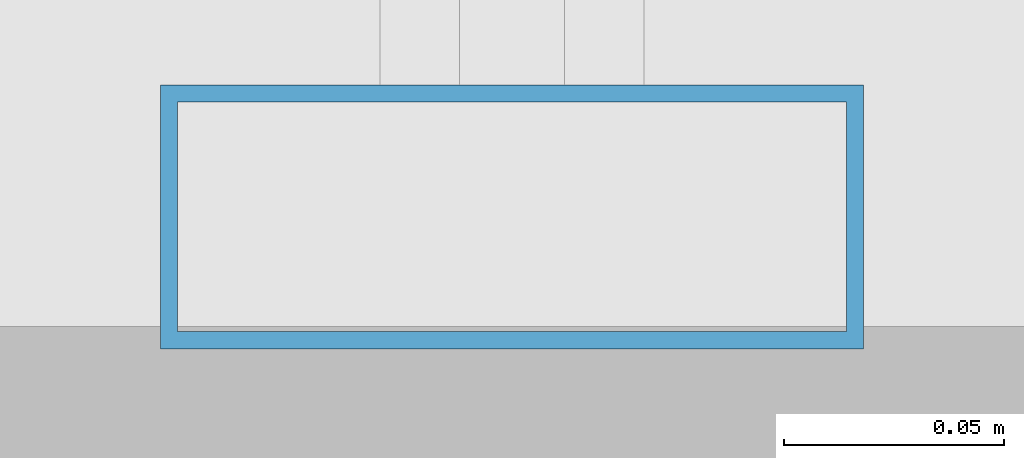
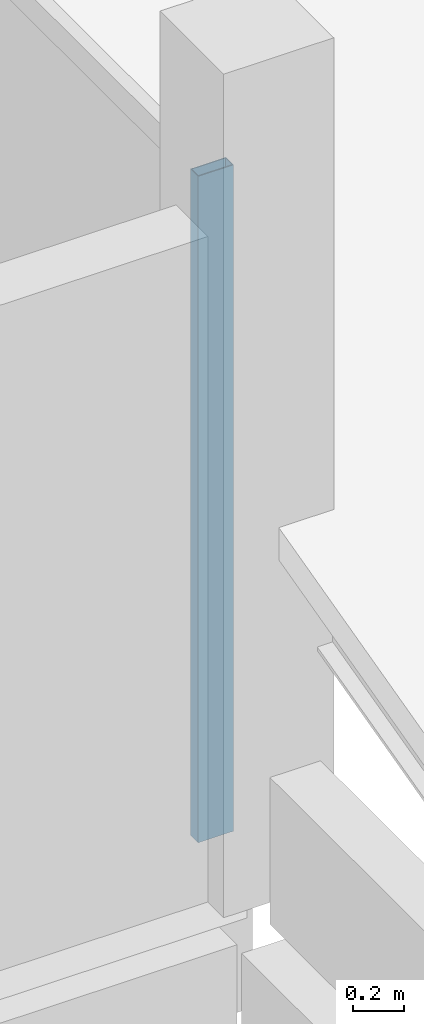
# One storey, part 17 of 108: 1 member, 1 element without a shape of its own.
"""IFC4 building model written with IfcOpenShell, lengths in metres."""

from ifc_helpers import new_model, si_unit, direction, frame, origin, origin_2d, place, context, subcontext, project, spatial, hollow_rectangle, extrude, material, layer, layer_set, material_profile, profile_set, type_object, element, aggregate, save


model = new_model("IFC4")

# Units and contexts
model_context = context("Model", 3, precision=1e-05, world=origin(), true_north=direction((0.0, 1.0)))
body_context = subcontext(model_context, "Body", "Model", "MODEL_VIEW")
ifc_project = project(units=[si_unit("LENGTHUNIT", "METRE"), si_unit("AREAUNIT", "SQUARE_METRE"), si_unit("VOLUMEUNIT", "CUBIC_METRE"), si_unit("PLANEANGLEUNIT", "RADIAN"), si_unit("MASSUNIT", "GRAM", prefix="KILO")], contexts=[model_context])

# Site, building, storey
site_placement = place(None, origin())
site = spatial("IfcSite", under=ifc_project, at=site_placement, CompositionType="ELEMENT")
building_placement = place(site_placement, origin())
building = spatial("IfcBuilding", under=site, at=building_placement, Name="Kangsadwip Square Police Headquarters", CompositionType="ELEMENT")
storey_placement = place(building_placement, frame((0.0, 0.0, 9.449951171875)))
storey = spatial("IfcBuildingStorey", under=building, at=storey_placement, Name="L02", CompositionType="ELEMENT", Elevation=9.449951171875)

# Curtain wall, member
ifc_material_1 = material(Name="Thermally broken anodised aluminium AW-6063-T6", Category="aluminium")
ifc_layer = layer(ifc_material_1, 0.159912109375)
ifc_layer_set = layer_set([ifc_layer], Name="Thermally broken anodised aluminium AW-6063-T6")
curtain_wall_type = type_object("IfcCurtainWallType", Name="CourtScreen6685x3200", PredefinedType="USERDEFINED", material=ifc_layer_set)
curtain_wall_placement = place(storey_placement, origin())
curtain_wall = element("IfcCurtainWall", 1, at=curtain_wall_placement, inside=storey, type_object=curtain_wall_type, Name="Curtain Wall CW-L02-0432-0938", ObjectType="GLAZED_SCREEN", PredefinedType="USERDEFINED")
ifc_material_2 = material(Name="Thermally broken anodised aluminium AW-6063-T6", Category="aluminium")
ifc_material_profile = material_profile(ifc_material_2, hollow_rectangle(XDim=0.06005859375, YDim=0.159912109375, WallThickness=0.00390625, at=origin_2d()), Name="CWM 160X60X4")
ifc_profile_set = profile_set([ifc_material_profile], Name="Thermally broken anodised aluminium AW-6063-T6")
member_type = type_object("IfcMemberType", Name="CwMullion135x60", PredefinedType="MULLION", material=ifc_profile_set)
member_placement = place(storey_placement, frame((43.199951171875, 93.875, 0.0), z_axis=(0.0, 0.0, 1.0), x_axis=(0.0, 1.0, 0.0)))
member = element("IfcMember", 2, at=member_placement, type_object=member_type, Name="CW-35 mullion 1", PredefinedType="MULLION", context=body_context, shape_type="SweptSolid", body=[
    extrude(hollow_rectangle(XDim=0.06005859375, YDim=0.159912109375, WallThickness=0.00390625, at=origin_2d()), origin(), (0.0, 0.0, 1.0), 3.199951171875),
])
aggregate(curtain_wall, [member])

save(model, "model.ifc")
